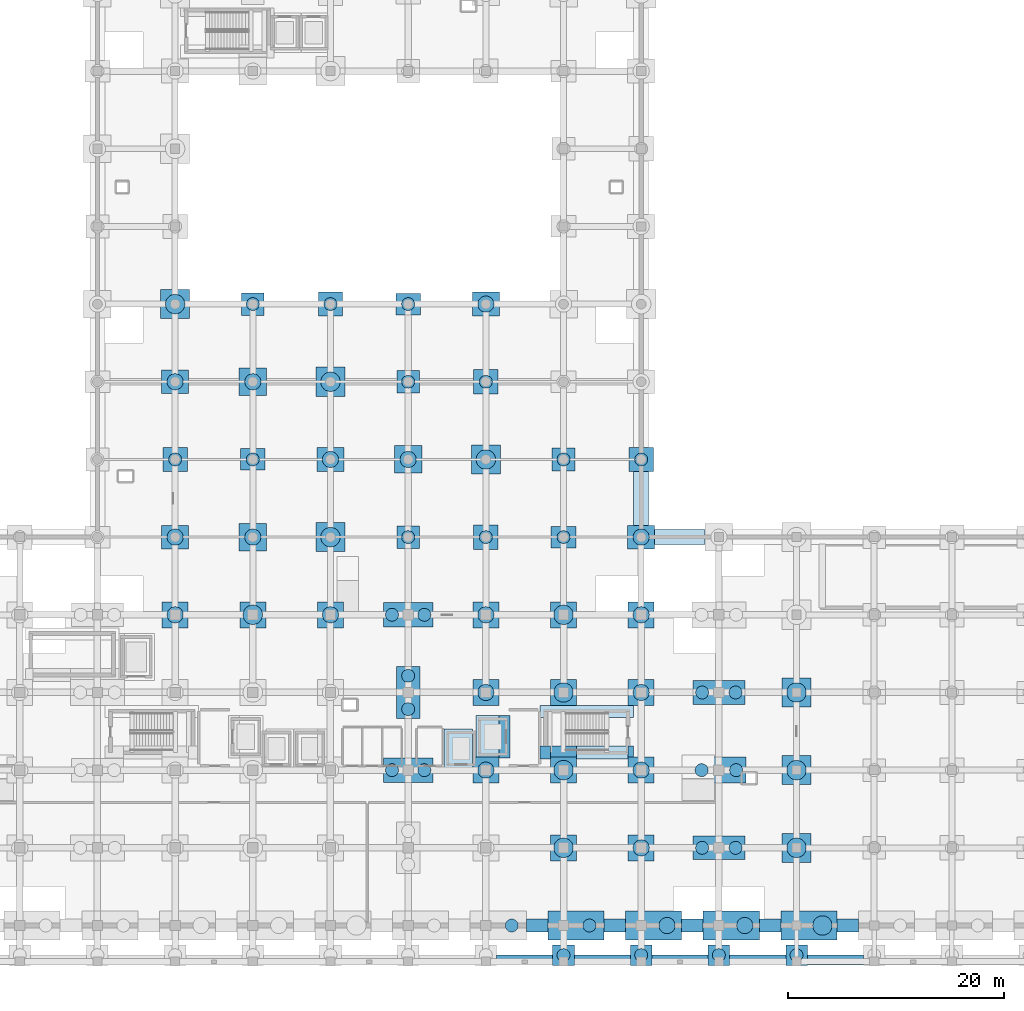
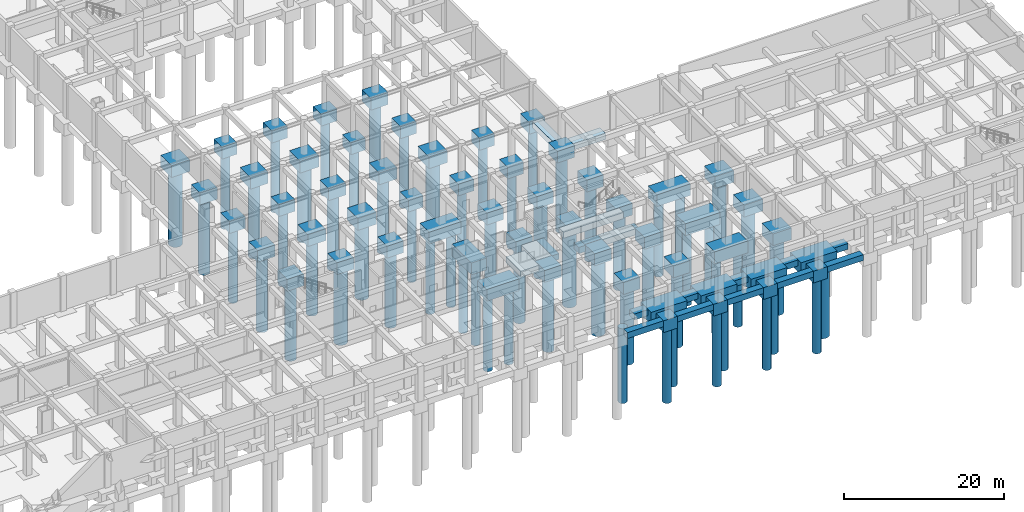
# One storey, part 3 of 26: 75 footings, 62 piles.
"""IFC4 building model written with IfcOpenShell, lengths in metres."""

from ifc_helpers import new_model, si_unit, direction, frame, origin, origin_2d, place, context, subcontext, project, spatial, polyline, rectangle, circle, outline, extrude, material, material_profile, profile_set, type_object, element, save


model = new_model("IFC4")

# Units and contexts
model_context = context("Model", 3, precision=1e-05, world=origin(), true_north=direction((0.0, 1.0)))
body_context = subcontext(model_context, "Body", "Model", "MODEL_VIEW")
ifc_project = project(units=[si_unit("LENGTHUNIT", "METRE"), si_unit("AREAUNIT", "SQUARE_METRE"), si_unit("VOLUMEUNIT", "CUBIC_METRE"), si_unit("PLANEANGLEUNIT", "RADIAN"), si_unit("MASSUNIT", "GRAM", prefix="KILO")], contexts=[model_context])

# Site, building, storey
site_placement = place(None, origin())
site = spatial("IfcSite", under=ifc_project, at=site_placement, CompositionType="ELEMENT")
building_placement = place(site_placement, origin())
building = spatial("IfcBuilding", under=site, at=building_placement, Name="Kazehaya Institute of Natural Sciences", CompositionType="ELEMENT")
storey_placement = place(building_placement, frame((0.0, 0.0, -5.39990234375)))
storey = spatial("IfcBuildingStorey", under=building, at=storey_placement, Name="B1", CompositionType="ELEMENT", Elevation=-5.39990234375)

# Footings
ifc_material = material(Name="Concrete Fc36", Category="concrete")
footing_type_1 = type_object("IfcFootingType", Name="FT-PAD01", PredefinedType="PAD_FOOTING", material=ifc_material)
footing_1_placement = place(storey_placement, frame((0.0, 0.0, -0.9501953125)))
element("IfcFooting", 1, at=footing_1_placement, inside=storey, type_object=footing_type_1, Name="Core ST-2 pad footing S seg 1", PredefinedType="PAD_FOOTING", context=body_context, shape_type="SweptSolid", body=[
    extrude(outline(polyline([(102.820068359375, 22.219970703125), (103.780029296875, 22.219970703125), (103.780029296875, 23.419921875), (102.820068359375, 23.419921875), (102.820068359375, 22.219970703125)])), origin(), (0.0, 0.0, 1.0), 0.9501953125),
])
footing_2_placement = place(storey_placement, frame((0.0, 0.0, -0.9501953125)))
element("IfcFooting", 2, at=footing_2_placement, inside=storey, type_object=footing_type_1, Name="Core ST-2 pad footing S seg 2", PredefinedType="PAD_FOOTING", context=body_context, shape_type="SweptSolid", body=[
    extrude(outline(polyline([(106.219970703125, 22.219970703125), (110.97998046875, 22.219970703125), (110.97998046875, 23.419921875), (106.219970703125, 23.419921875), (106.219970703125, 22.219970703125)])), origin(), (0.0, 0.0, 1.0), 0.9501953125),
])
footing_3_placement = place(storey_placement, frame((0.0, 0.0, -0.9501953125)))
element("IfcFooting", 3, at=footing_3_placement, inside=storey, type_object=footing_type_1, Name="Core ST-2 pad footing S seg 3", PredefinedType="PAD_FOOTING", context=body_context, shape_type="SweptSolid", body=[
    extrude(outline(polyline([(103.780029296875, 22.419921875), (106.219970703125, 22.419921875), (106.219970703125, 23.419921875), (103.780029296875, 23.419921875), (103.780029296875, 22.419921875)])), origin(), (0.0, 0.0, 1.0), 0.9501953125),
])
footing_4_placement = place(storey_placement, frame((0.0, 0.0, -0.9501953125)))
element("IfcFooting", 4, at=footing_4_placement, inside=storey, type_object=footing_type_1, Name="Core ST-2 pad footing S seg 4", PredefinedType="PAD_FOOTING", context=body_context, shape_type="SweptSolid", body=[
    extrude(outline(polyline([(110.97998046875, 22.419921875), (111.47998046875, 22.419921875), (111.47998046875, 23.419921875), (110.97998046875, 23.419921875), (110.97998046875, 22.419921875)])), origin(), (0.0, 0.0, 1.0), 0.9501953125),
])
footing_5_placement = place(storey_placement, frame((0.0, 0.0, -0.9501953125)))
element("IfcFooting", 5, at=footing_5_placement, inside=storey, type_object=footing_type_1, Name="Core ST-2 pad footing N", PredefinedType="PAD_FOOTING", context=body_context, shape_type="SweptSolid", body=[
    extrude(outline(polyline([(102.820068359375, 26.06005859375), (111.47998046875, 26.06005859375), (111.47998046875, 27.179931640625), (102.820068359375, 27.179931640625), (102.820068359375, 26.06005859375)])), origin(), (0.0, 0.0, 1.0), 0.9501953125),
])
footing_6_placement = place(storey_placement, frame((0.0, 0.0, -0.900146484375)))
element("IfcFooting", 6, at=footing_6_placement, inside=storey, type_object=footing_type_1, Name="Lift EL08 pad footing seg 1", PredefinedType="PAD_FOOTING", context=body_context, shape_type="SweptSolid", body=[
    extrude(outline(polyline([(99.02001953125, 22.31494140625), (100.034912109375, 22.31494140625), (100.034912109375, 26.284912109375), (99.02001953125, 26.284912109375), (99.02001953125, 22.31494140625)])), origin(), (0.0, 0.0, 1.0), 0.900146484375),
])
footing_7_placement = place(storey_placement, frame((0.0, 0.0, -0.900146484375)))
element("IfcFooting", 7, at=footing_7_placement, inside=storey, type_object=footing_type_1, Name="Lift EL08 pad footing seg 2", PredefinedType="PAD_FOOTING", context=body_context, shape_type="SweptSolid", body=[
    extrude(outline(polyline([(96.864990234375, 22.419921875), (99.02001953125, 22.419921875), (99.02001953125, 26.284912109375), (96.864990234375, 26.284912109375), (96.864990234375, 22.419921875)])), origin(), (0.0, 0.0, 1.0), 0.900146484375),
])
footing_8_placement = place(storey_placement, frame((0.0, 0.0, -0.900146484375)))
element("IfcFooting", 8, at=footing_8_placement, inside=storey, type_object=footing_type_1, Name="Lift EL03 pad footing", PredefinedType="PAD_FOOTING", context=body_context, shape_type="SweptSolid", body=[
    extrude(outline(polyline([(93.9150390625, 21.364990234375), (96.580078125, 21.364990234375), (96.580078125, 25.034912109375), (93.9150390625, 25.034912109375), (93.9150390625, 21.364990234375)])), origin(), (0.0, 0.0, 1.0), 0.900146484375),
])
footing_type_2 = type_object("IfcFootingType", Name="FT-PC01", PredefinedType="PILE_CAP", material=ifc_material)
for number, where, z_axis, x_axis, name in (
    (9, (90.60009765625, 42.800048828125, -1.80029296875), (0.0, 0.0, 1.0), (1.0, 0.0, 0.0), "Pile cap CAP-157"),
    (10, (105.0, 50.0, -1.80029296875), (0.0, 0.0, 1.0), (1.0, 0.0, 0.0), "Pile cap CAP-175"),
    (11, (90.60009765625, 57.199951171875, -1.80029296875), (0.0, 0.0, 1.0), (1.0, 0.0, 0.0), "Pile cap CAP-181"),
    (12, (76.199951171875, 64.39990234375, -1.80029296875), (0.0, 0.0, 1.0), (1.0, 0.0, 0.0), "Pile cap CAP-187"),
):
    element("IfcFooting", number, at=place(storey_placement, frame(where, z_axis=z_axis, x_axis=x_axis)), inside=storey, type_object=footing_type_2, Name=name, PredefinedType="PILE_CAP", context=body_context, shape_type="SweptSolid", body=[
        extrude(rectangle(XDim=2.10009765625, YDim=2.10009765625, at=origin_2d()), origin(), (0.0, 0.0, 1.0), 1.800048828125),
    ])
footing_type_3 = type_object("IfcFootingType", Name="FT-PC02", PredefinedType="PILE_CAP", material=ifc_material)
for number, where, z_axis, x_axis, name in (
    (13, (105.0, 14.0, -1.80029296875), (0.0, 0.0, 1.0), (1.0, 0.0, 0.0), "Pile cap CAP-063"),
    (14, (112.199951171875, 14.0, -1.80029296875), (0.0, 0.0, 1.0), (1.0, 0.0, 0.0), "Pile cap CAP-064"),
    (15, (97.800048828125, 21.199951171875, -1.80029296875), (0.0, 0.0, 1.0), (1.0, 0.0, 0.0), "Pile cap CAP-086"),
    (16, (105.0, 21.199951171875, -1.80029296875), (0.0, 0.0, 1.0), (1.0, 0.0, 0.0), "Pile cap CAP-087"),
    (17, (112.199951171875, 21.199951171875, -1.80029296875), (0.0, 0.0, 1.0), (1.0, 0.0, 0.0), "Pile cap CAP-088"),
    (18, (97.800048828125, 28.39990234375, -1.80029296875), (0.0, 0.0, 1.0), (1.0, 0.0, 0.0), "Pile cap CAP-110"),
    (19, (105.0, 28.39990234375, -1.80029296875), (0.0, 0.0, 1.0), (1.0, 0.0, 0.0), "Pile cap CAP-111"),
    (20, (112.199951171875, 28.39990234375, -1.80029296875), (0.0, 0.0, 1.0), (1.0, 0.0, 0.0), "Pile cap CAP-112"),
    (21, (69.0, 35.60009765625, -1.80029296875), (0.0, 0.0, 1.0), (1.0, 0.0, 0.0), "Pile cap CAP-130"),
    (22, (76.199951171875, 35.60009765625, -1.80029296875), (0.0, 0.0, 1.0), (1.0, 0.0, 0.0), "Pile cap CAP-131"),
    (23, (83.39990234375, 35.60009765625, -1.80029296875), (0.0, 0.0, 1.0), (1.0, 0.0, 0.0), "Pile cap CAP-132"),
    (24, (97.800048828125, 35.60009765625, -1.80029296875), (0.0, 0.0, 1.0), (1.0, 0.0, 0.0), "Pile cap CAP-134"),
    (25, (105.0, 35.60009765625, -1.80029296875), (0.0, 0.0, 1.0), (1.0, 0.0, 0.0), "Pile cap CAP-135"),
    (26, (112.199951171875, 35.60009765625, -1.80029296875), (0.0, 0.0, 1.0), (1.0, 0.0, 0.0), "Pile cap CAP-136"),
):
    element("IfcFooting", number, at=place(storey_placement, frame(where, z_axis=z_axis, x_axis=x_axis)), inside=storey, type_object=footing_type_3, Name=name, PredefinedType="PILE_CAP", context=body_context, shape_type="SweptSolid", body=[
        extrude(rectangle(XDim=2.39990234375, YDim=2.39990234375, at=origin_2d()), origin(), (0.0, 0.0, 1.0), 1.800048828125),
    ])
footing_type_4 = type_object("IfcFootingType", Name="FT-PC03", PredefinedType="PILE_CAP", material=ifc_material)
for number, where, z_axis, x_axis, name in (
    (27, (119.39990234375, 14.0, -1.80029296875), (0.0, 0.0, 1.0), (1.0, 0.0, 0.0), "Pile cap CAP-065"),
    (28, (119.39990234375, 28.39990234375, -1.80029296875), (0.0, 0.0, 1.0), (1.0, 0.0, 0.0), "Pile cap CAP-113"),
):
    element("IfcFooting", number, at=place(storey_placement, frame(where, z_axis=z_axis, x_axis=x_axis)), inside=storey, type_object=footing_type_4, Name=name, PredefinedType="PILE_CAP", context=body_context, shape_type="SweptSolid", body=[
        extrude(rectangle(XDim=4.800048828125, YDim=2.199951171875, at=origin_2d()), origin(), (0.0, 0.0, 1.0), 1.800048828125),
    ])
footing_type_5 = type_object("IfcFootingType", Name="FT-PC04", PredefinedType="PILE_CAP", material=ifc_material)
footing_9_placement = place(storey_placement, frame((90.60009765625, 28.39990234375, -1.80029296875), z_axis=(0.0, 0.0, 1.0), x_axis=(1.0, 0.0, 0.0)))
element("IfcFooting", 29, at=footing_9_placement, inside=storey, type_object=footing_type_5, Name="Pile cap CAP-109", PredefinedType="PILE_CAP", context=body_context, shape_type="SweptSolid", body=[
    extrude(rectangle(XDim=2.199951171875, YDim=4.800048828125, at=origin_2d()), origin(), (0.0, 0.0, 1.0), 1.800048828125),
])
footing_type_6 = type_object("IfcFootingType", Name="FT-PC05", PredefinedType="PILE_CAP", material=ifc_material)
for number, where, z_axis, x_axis, name in (
    (30, (105.0, 4.050048828125, -1.80029296875), (0.0, 0.0, 1.0), (1.0, 0.0, 0.0), "Pile cap CAP-015"),
    (31, (112.199951171875, 4.050048828125, -1.80029296875), (0.0, 0.0, 1.0), (1.0, 0.0, 0.0), "Pile cap CAP-016"),
    (32, (119.39990234375, 4.050048828125, -1.80029296875), (0.0, 0.0, 1.0), (1.0, 0.0, 0.0), "Pile cap CAP-017"),
    (33, (126.60009765625, 4.050048828125, -1.80029296875), (0.0, 0.0, 1.0), (1.0, 0.0, 0.0), "Pile cap CAP-018"),
):
    element("IfcFooting", number, at=place(storey_placement, frame(where, z_axis=z_axis, x_axis=x_axis)), inside=storey, type_object=footing_type_6, Name=name, PredefinedType="PILE_CAP", context=body_context, shape_type="SweptSolid", body=[
        extrude(rectangle(XDim=2.0, YDim=1.89990234375, at=origin_2d()), origin(), (0.0, 0.0, 1.0), 1.800048828125),
    ])
footing_type_7 = type_object("IfcFootingType", Name="FT-PC06", PredefinedType="PILE_CAP", material=ifc_material)
for number, where, z_axis, x_axis, name in (
    (34, (97.800048828125, 42.800048828125, -1.80029296875), (0.0, 0.0, 1.0), (1.0, 0.0, 0.0), "Pile cap CAP-158"),
    (35, (69.0, 50.0, -1.80029296875), (0.0, 0.0, 1.0), (1.0, 0.0, 0.0), "Pile cap CAP-170"),
    (36, (112.199951171875, 50.0, -1.80029296875), (0.0, 0.0, 1.0), (1.0, 0.0, 0.0), "Pile cap CAP-176"),
    (37, (97.800048828125, 57.199951171875, -1.80029296875), (0.0, 0.0, 1.0), (1.0, 0.0, 0.0), "Pile cap CAP-182"),
    (38, (83.39990234375, 64.39990234375, -1.80029296875), (0.0, 0.0, 1.0), (1.0, 0.0, 0.0), "Pile cap CAP-188"),
):
    element("IfcFooting", number, at=place(storey_placement, frame(where, z_axis=z_axis, x_axis=x_axis)), inside=storey, type_object=footing_type_7, Name=name, PredefinedType="PILE_CAP", context=body_context, shape_type="SweptSolid", body=[
        extrude(rectangle(XDim=2.25, YDim=2.25, at=origin_2d()), origin(), (0.0, 0.0, 1.0), 1.800048828125),
    ])
footing_type_8 = type_object("IfcFootingType", Name="FT-PC07", PredefinedType="PILE_CAP", material=ifc_material)
for number, where, z_axis, x_axis, name in (
    (39, (76.199951171875, 42.800048828125, -1.80029296875), (0.0, 0.0, 1.0), (1.0, 0.0, 0.0), "Pile cap CAP-155"),
    (40, (90.60009765625, 50.0, -1.80029296875), (0.0, 0.0, 1.0), (1.0, 0.0, 0.0), "Pile cap CAP-173"),
    (41, (76.199951171875, 57.199951171875, -1.80029296875), (0.0, 0.0, 1.0), (1.0, 0.0, 0.0), "Pile cap CAP-179"),
):
    element("IfcFooting", number, at=place(storey_placement, frame(where, z_axis=z_axis, x_axis=x_axis)), inside=storey, type_object=footing_type_8, Name=name, PredefinedType="PILE_CAP", context=body_context, shape_type="SweptSolid", body=[
        extrude(rectangle(XDim=2.550048828125, YDim=2.550048828125, at=origin_2d()), origin(), (0.0, 0.0, 1.0), 1.800048828125),
    ])
footing_type_9 = type_object("IfcFootingType", Name="FT-PC08", PredefinedType="PILE_CAP", material=ifc_material)
for number, where, z_axis, x_axis, name in (
    (42, (126.60009765625, 14.0, -1.80029296875), (0.0, 0.0, 1.0), (1.0, 0.0, 0.0), "Pile cap CAP-066"),
    (43, (126.60009765625, 21.199951171875, -1.80029296875), (0.0, 0.0, 1.0), (1.0, 0.0, 0.0), "Pile cap CAP-090"),
    (44, (126.60009765625, 28.39990234375, -1.80029296875), (0.0, 0.0, 1.0), (1.0, 0.0, 0.0), "Pile cap CAP-114"),
    (45, (83.39990234375, 42.800048828125, -1.80029296875), (0.0, 0.0, 1.0), (1.0, 0.0, 0.0), "Pile cap CAP-156"),
    (46, (97.800048828125, 50.0, -1.80029296875), (0.0, 0.0, 1.0), (1.0, 0.0, 0.0), "Pile cap CAP-174"),
    (47, (83.39990234375, 57.199951171875, -1.80029296875), (0.0, 0.0, 1.0), (1.0, 0.0, 0.0), "Pile cap CAP-180"),
    (48, (69.0, 64.39990234375, -1.80029296875), (0.0, 0.0, 1.0), (1.0, 0.0, 0.0), "Pile cap CAP-186"),
):
    element("IfcFooting", number, at=place(storey_placement, frame(where, z_axis=z_axis, x_axis=x_axis)), inside=storey, type_object=footing_type_9, Name=name, PredefinedType="PILE_CAP", context=body_context, shape_type="SweptSolid", body=[
        extrude(rectangle(XDim=2.699951171875, YDim=2.699951171875, at=origin_2d()), origin(), (0.0, 0.0, 1.0), 1.800048828125),
    ])
footing_type_10 = type_object("IfcFootingType", Name="FT-PC09", PredefinedType="PILE_CAP", material=ifc_material)
for number, where, z_axis, x_axis, name in (
    (49, (90.60009765625, 21.199951171875, -1.80029296875), (0.0, 0.0, 1.0), (1.0, 0.0, 0.0), "Pile cap CAP-085"),
    (50, (90.60009765625, 35.60009765625, -1.80029296875), (0.0, 0.0, 1.0), (1.0, 0.0, 0.0), "Pile cap CAP-133"),
):
    element("IfcFooting", number, at=place(storey_placement, frame(where, z_axis=z_axis, x_axis=x_axis)), inside=storey, type_object=footing_type_10, Name=name, PredefinedType="PILE_CAP", context=body_context, shape_type="SweptSolid", body=[
        extrude(rectangle(XDim=4.60009765625, YDim=2.300048828125, at=origin_2d()), origin(), (0.0, 0.0, 1.0), 1.800048828125),
    ])
footing_type_11 = type_object("IfcFootingType", Name="FT-PC10", PredefinedType="PILE_CAP", material=ifc_material)
for number, where, z_axis, x_axis, name in (
    (51, (106.14990234375, 6.800048828125, -1.80029296875), (0.0, 0.0, 1.0), (1.0, 0.0, 0.0), "Pile cap CAP-039"),
    (52, (113.35009765625, 6.800048828125, -1.80029296875), (0.0, 0.0, 1.0), (1.0, 0.0, 0.0), "Pile cap CAP-040"),
    (53, (120.550048828125, 6.800048828125, -1.80029296875), (0.0, 0.0, 1.0), (1.0, 0.0, 0.0), "Pile cap CAP-041"),
    (54, (127.75, 6.800048828125, -1.80029296875), (0.0, 0.0, 1.0), (1.0, 0.0, 0.0), "Pile cap CAP-042"),
):
    element("IfcFooting", number, at=place(storey_placement, frame(where, z_axis=z_axis, x_axis=x_axis)), inside=storey, type_object=footing_type_11, Name=name, PredefinedType="PILE_CAP", context=body_context, shape_type="SweptSolid", body=[
        extrude(rectangle(XDim=5.199951171875, YDim=2.699951171875, at=origin_2d()), origin(), (0.0, 0.0, 1.0), 1.800048828125),
    ])
footing_10_placement = place(storey_placement, frame((119.39990234375, 21.199951171875, -1.80029296875), z_axis=(0.0, 0.0, 1.0), x_axis=(1.0, 0.0, 0.0)))
element("IfcFooting", 55, at=footing_10_placement, inside=storey, type_object=footing_type_11, Name="Pile cap CAP-089", PredefinedType="PILE_CAP", context=body_context, shape_type="SweptSolid", body=[
    extrude(rectangle(XDim=5.0, YDim=2.39990234375, at=origin_2d()), origin(), (0.0, 0.0, 1.0), 1.800048828125),
])
footing_type_12 = type_object("IfcFootingType", Name="FT-PC11", PredefinedType="PILE_CAP", material=ifc_material)
for number, where, z_axis, x_axis, name in (
    (56, (105.0, 42.800048828125, -1.80029296875), (0.0, 0.0, 1.0), (1.0, 0.0, 0.0), "Pile cap CAP-159"),
    (57, (76.199951171875, 50.0, -1.80029296875), (0.0, 0.0, 1.0), (1.0, 0.0, 0.0), "Pile cap CAP-171"),
    (58, (90.60009765625, 64.39990234375, -1.80029296875), (0.0, 0.0, 1.0), (1.0, 0.0, 0.0), "Pile cap CAP-189"),
):
    element("IfcFooting", number, at=place(storey_placement, frame(where, z_axis=z_axis, x_axis=x_axis)), inside=storey, type_object=footing_type_12, Name=name, PredefinedType="PILE_CAP", context=body_context, shape_type="SweptSolid", body=[
        extrude(rectangle(XDim=2.300048828125, YDim=2.0, at=origin_2d()), origin(), (0.0, 0.0, 1.0), 1.800048828125),
    ])
footing_type_13 = type_object("IfcFootingType", Name="FT-PC12", PredefinedType="PILE_CAP", material=ifc_material)
for number, where, z_axis, x_axis, name in (
    (59, (69.0, 42.800048828125, -1.80029296875), (0.0, 0.0, 1.0), (1.0, 0.0, 0.0), "Pile cap CAP-154"),
    (60, (112.199951171875, 42.800048828125, -1.80029296875), (0.0, 0.0, 1.0), (1.0, 0.0, 0.0), "Pile cap CAP-160"),
    (61, (83.39990234375, 50.0, -1.80029296875), (0.0, 0.0, 1.0), (1.0, 0.0, 0.0), "Pile cap CAP-172"),
    (62, (69.0, 57.199951171875, -1.80029296875), (0.0, 0.0, 1.0), (1.0, 0.0, 0.0), "Pile cap CAP-178"),
    (63, (97.800048828125, 64.39990234375, -1.80029296875), (0.0, 0.0, 1.0), (1.0, 0.0, 0.0), "Pile cap CAP-190"),
):
    element("IfcFooting", number, at=place(storey_placement, frame(where, z_axis=z_axis, x_axis=x_axis)), inside=storey, type_object=footing_type_13, Name=name, PredefinedType="PILE_CAP", context=body_context, shape_type="SweptSolid", body=[
        extrude(rectangle(XDim=2.5, YDim=2.199951171875, at=origin_2d()), origin(), (0.0, 0.0, 1.0), 1.800048828125),
    ])
footing_type_14 = type_object("IfcFootingType", Name="FT-SF01", PredefinedType="STRIP_FOOTING", material=ifc_material)
footing_11_placement = place(storey_placement, frame((0.0, 0.0, -0.900146484375)))
element("IfcFooting", 64, at=footing_11_placement, inside=storey, type_object=footing_type_14, Name="Perimeter strip footing SF-014", PredefinedType="STRIP_FOOTING", context=body_context, shape_type="SweptSolid", body=[
    extrude(outline(polyline([(98.800048828125, 3.1201171875), (104.0, 3.1201171875), (104.0, 4.050048828125), (98.800048828125, 4.050048828125), (98.800048828125, 3.1201171875)])), origin(), (0.0, 0.0, 1.0), 0.900146484375),
])
footing_12_placement = place(storey_placement, frame((0.0, 0.0, -0.900146484375)))
element("IfcFooting", 65, at=footing_12_placement, inside=storey, type_object=footing_type_14, Name="Perimeter strip footing SF-015", PredefinedType="STRIP_FOOTING", context=body_context, shape_type="SweptSolid", body=[
    extrude(outline(polyline([(106.0, 3.1201171875), (111.199951171875, 3.1201171875), (111.199951171875, 4.050048828125), (106.0, 4.050048828125), (106.0, 3.1201171875)])), origin(), (0.0, 0.0, 1.0), 0.900146484375),
])
footing_13_placement = place(storey_placement, frame((0.0, 0.0, -0.900146484375)))
element("IfcFooting", 66, at=footing_13_placement, inside=storey, type_object=footing_type_14, Name="Perimeter strip footing SF-016", PredefinedType="STRIP_FOOTING", context=body_context, shape_type="SweptSolid", body=[
    extrude(outline(polyline([(113.199951171875, 3.1201171875), (118.39990234375, 3.1201171875), (118.39990234375, 4.050048828125), (113.199951171875, 4.050048828125), (113.199951171875, 3.1201171875)])), origin(), (0.0, 0.0, 1.0), 0.900146484375),
])
footing_14_placement = place(storey_placement, frame((0.0, 0.0, -0.900146484375)))
element("IfcFooting", 67, at=footing_14_placement, inside=storey, type_object=footing_type_14, Name="Perimeter strip footing SF-017", PredefinedType="STRIP_FOOTING", context=body_context, shape_type="SweptSolid", body=[
    extrude(outline(polyline([(120.39990234375, 3.1201171875), (125.60009765625, 3.1201171875), (125.60009765625, 4.050048828125), (120.39990234375, 4.050048828125), (120.39990234375, 3.1201171875)])), origin(), (0.0, 0.0, 1.0), 0.900146484375),
])
footing_15_placement = place(storey_placement, frame((0.0, 0.0, -0.900146484375)))
element("IfcFooting", 68, at=footing_15_placement, inside=storey, type_object=footing_type_14, Name="Perimeter strip footing SF-018", PredefinedType="STRIP_FOOTING", context=body_context, shape_type="SweptSolid", body=[
    extrude(outline(polyline([(127.60009765625, 3.1201171875), (132.800048828125, 3.1201171875), (132.800048828125, 4.050048828125), (127.60009765625, 4.050048828125), (127.60009765625, 3.1201171875)])), origin(), (0.0, 0.0, 1.0), 0.900146484375),
])
footing_16_placement = place(storey_placement, frame((0.0, 0.0, -0.900146484375)))
element("IfcFooting", 69, at=footing_16_placement, inside=storey, type_object=footing_type_14, Name="Perimeter strip footing SF-037", PredefinedType="STRIP_FOOTING", context=body_context, shape_type="SweptSolid", body=[
    extrude(outline(polyline([(101.550048828125, 6.199951171875), (103.550048828125, 6.199951171875), (103.550048828125, 7.39990234375), (101.550048828125, 7.39990234375), (101.550048828125, 6.199951171875)])), origin(), (0.0, 0.0, 1.0), 0.900146484375),
])
footing_17_placement = place(storey_placement, frame((0.0, 0.0, -0.900146484375)))
element("IfcFooting", 70, at=footing_17_placement, inside=storey, type_object=footing_type_14, Name="Perimeter strip footing SF-038", PredefinedType="STRIP_FOOTING", context=body_context, shape_type="SweptSolid", body=[
    extrude(outline(polyline([(108.75, 6.199951171875), (110.75, 6.199951171875), (110.75, 7.39990234375), (108.75, 7.39990234375), (108.75, 6.199951171875)])), origin(), (0.0, 0.0, 1.0), 0.900146484375),
])
footing_18_placement = place(storey_placement, frame((0.0, 0.0, -0.900146484375)))
element("IfcFooting", 71, at=footing_18_placement, inside=storey, type_object=footing_type_14, Name="Perimeter strip footing SF-039", PredefinedType="STRIP_FOOTING", context=body_context, shape_type="SweptSolid", body=[
    extrude(outline(polyline([(115.949951171875, 6.199951171875), (117.949951171875, 6.199951171875), (117.949951171875, 7.39990234375), (115.949951171875, 7.39990234375), (115.949951171875, 6.199951171875)])), origin(), (0.0, 0.0, 1.0), 0.900146484375),
])
footing_19_placement = place(storey_placement, frame((0.0, 0.0, -0.900146484375)))
element("IfcFooting", 72, at=footing_19_placement, inside=storey, type_object=footing_type_14, Name="Perimeter strip footing SF-040", PredefinedType="STRIP_FOOTING", context=body_context, shape_type="SweptSolid", body=[
    extrude(outline(polyline([(123.14990234375, 6.199951171875), (125.14990234375, 6.199951171875), (125.14990234375, 7.39990234375), (123.14990234375, 7.39990234375), (123.14990234375, 6.199951171875)])), origin(), (0.0, 0.0, 1.0), 0.900146484375),
])
footing_20_placement = place(storey_placement, frame((0.0, 0.0, -0.900146484375)))
element("IfcFooting", 73, at=footing_20_placement, inside=storey, type_object=footing_type_14, Name="Perimeter strip footing SF-041", PredefinedType="STRIP_FOOTING", context=body_context, shape_type="SweptSolid", body=[
    extrude(outline(polyline([(130.35009765625, 6.199951171875), (132.35009765625, 6.199951171875), (132.35009765625, 7.39990234375), (130.35009765625, 7.39990234375), (130.35009765625, 6.199951171875)])), origin(), (0.0, 0.0, 1.0), 0.900146484375),
])
footing_type_15 = type_object("IfcFootingType", Name="FT-SF02", PredefinedType="STRIP_FOOTING", material=ifc_material)
footing_21_placement = place(storey_placement, frame((0.0, 0.0, -0.9501953125)))
element("IfcFooting", 74, at=footing_21_placement, inside=storey, type_object=footing_type_15, Name="Perimeter strip footing SF-077", PredefinedType="STRIP_FOOTING", context=body_context, shape_type="SweptSolid", body=[
    extrude(outline(polyline([(111.5, 43.89990234375), (112.89990234375, 43.89990234375), (112.89990234375, 48.875), (111.5, 48.875), (111.5, 43.89990234375)])), origin(), (0.0, 0.0, 1.0), 0.9501953125),
])
footing_22_placement = place(storey_placement, frame((0.0, 0.0, -0.9501953125)))
element("IfcFooting", 75, at=footing_22_placement, inside=storey, type_object=footing_type_15, Name="Perimeter strip footing SF-087", PredefinedType="STRIP_FOOTING", context=body_context, shape_type="SweptSolid", body=[
    extrude(outline(polyline([(113.449951171875, 42.10009765625), (118.125, 42.10009765625), (118.125, 43.5), (113.449951171875, 43.5), (113.449951171875, 42.10009765625)])), origin(), (0.0, 0.0, 1.0), 0.9501953125),
])

# Piles
ifc_material_profile_1 = material_profile(ifc_material, circle(Radius=0.60009765625, at=origin_2d()), Name="PILE-1200")
ifc_profile_set_1 = profile_set([ifc_material_profile_1], Name="Concrete Fc36")
pile_type_1 = type_object("IfcPileType", Name="PILE-1200", PredefinedType="BORED", material=ifc_profile_set_1)
for number, where, z_axis, x_axis, name in (
    (76, (105.0, 4.050048828125, -1.7001953125), (0.0, 0.0, -1.0), (1.0, 0.0, 0.0), "Bored pile CAP-015-P1"),
    (77, (112.199951171875, 4.050048828125, -1.7001953125), (0.0, 0.0, -1.0), (1.0, 0.0, 0.0), "Bored pile CAP-016-P1"),
    (78, (119.39990234375, 4.050048828125, -1.7001953125), (0.0, 0.0, -1.0), (1.0, 0.0, 0.0), "Bored pile CAP-017-P1"),
    (79, (126.60009765625, 4.050048828125, -1.7001953125), (0.0, 0.0, -1.0), (1.0, 0.0, 0.0), "Bored pile CAP-018-P1"),
    (80, (100.199951171875, 6.800048828125, -1.7001953125), (0.0, 0.0, -1.0), (1.0, 0.0, 0.0), "Bored pile CAP-038-P1"),
    (81, (107.39990234375, 6.800048828125, -1.7001953125), (0.0, 0.0, -1.0), (1.0, 0.0, 0.0), "Bored pile CAP-039-P1"),
    (82, (117.85009765625, 14.0, -1.7001953125), (0.0, 0.0, -1.0), (1.0, 0.0, 0.0), "Bored pile CAP-065-P1"),
    (83, (120.949951171875, 14.0, -1.7001953125), (0.0, 0.0, -1.0), (1.0, 0.0, 0.0), "Bored pile CAP-065-P2"),
    (84, (89.10009765625, 21.199951171875, -1.7001953125), (0.0, 0.0, -1.0), (1.0, 0.0, 0.0), "Bored pile CAP-085-P1"),
    (85, (92.10009765625, 21.199951171875, -1.7001953125), (0.0, 0.0, -1.0), (1.0, 0.0, 0.0), "Bored pile CAP-085-P2"),
    (86, (117.800048828125, 21.199951171875, -1.7001953125), (0.0, 0.0, -1.0), (1.0, 0.0, 0.0), "Bored pile CAP-089-P1"),
    (87, (121.0, 21.199951171875, -1.7001953125), (0.0, 0.0, -1.0), (1.0, 0.0, 0.0), "Bored pile CAP-089-P2"),
    (88, (90.60009765625, 26.85009765625, -1.7001953125), (0.0, 0.0, -1.0), (1.0, 0.0, 0.0), "Bored pile CAP-109-P1"),
    (89, (90.60009765625, 29.949951171875, -1.7001953125), (0.0, 0.0, -1.0), (1.0, 0.0, 0.0), "Bored pile CAP-109-P2"),
    (90, (117.85009765625, 28.39990234375, -1.7001953125), (0.0, 0.0, -1.0), (1.0, 0.0, 0.0), "Bored pile CAP-113-P1"),
    (91, (120.949951171875, 28.39990234375, -1.7001953125), (0.0, 0.0, -1.0), (1.0, 0.0, 0.0), "Bored pile CAP-113-P2"),
    (92, (89.10009765625, 35.60009765625, -1.7001953125), (0.0, 0.0, -1.0), (1.0, 0.0, 0.0), "Bored pile CAP-133-P1"),
    (93, (92.10009765625, 35.60009765625, -1.7001953125), (0.0, 0.0, -1.0), (1.0, 0.0, 0.0), "Bored pile CAP-133-P2"),
    (94, (90.60009765625, 42.800048828125, -1.7001953125), (0.0, 0.0, -1.0), (1.0, 0.0, 0.0), "Bored pile CAP-157-P1"),
    (95, (97.800048828125, 42.800048828125, -1.7001953125), (0.0, 0.0, -1.0), (1.0, 0.0, 0.0), "Bored pile CAP-158-P1"),
    (96, (105.0, 42.800048828125, -1.7001953125), (0.0, 0.0, -1.0), (1.0, 0.0, 0.0), "Bored pile CAP-159-P1"),
    (97, (69.0, 50.0, -1.7001953125), (0.0, 0.0, -1.0), (1.0, 0.0, 0.0), "Bored pile CAP-170-P1"),
    (98, (76.199951171875, 50.0, -1.7001953125), (0.0, 0.0, -1.0), (1.0, 0.0, 0.0), "Bored pile CAP-171-P1"),
    (99, (105.0, 50.0, -1.7001953125), (0.0, 0.0, -1.0), (1.0, 0.0, 0.0), "Bored pile CAP-175-P1"),
    (100, (112.199951171875, 50.0, -1.7001953125), (0.0, 0.0, -1.0), (1.0, 0.0, 0.0), "Bored pile CAP-176-P1"),
    (101, (90.60009765625, 57.199951171875, -1.7001953125), (0.0, 0.0, -1.0), (1.0, 0.0, 0.0), "Bored pile CAP-181-P1"),
    (102, (97.800048828125, 57.199951171875, -1.7001953125), (0.0, 0.0, -1.0), (1.0, 0.0, 0.0), "Bored pile CAP-182-P1"),
    (103, (76.199951171875, 64.39990234375, -1.7001953125), (0.0, 0.0, -1.0), (1.0, 0.0, 0.0), "Bored pile CAP-187-P1"),
    (104, (83.39990234375, 64.39990234375, -1.7001953125), (0.0, 0.0, -1.0), (1.0, 0.0, 0.0), "Bored pile CAP-188-P1"),
    (105, (90.60009765625, 64.39990234375, -1.7001953125), (0.0, 0.0, -1.0), (1.0, 0.0, 0.0), "Bored pile CAP-189-P1"),
):
    element("IfcPile", number, at=place(storey_placement, frame(where, z_axis=z_axis, x_axis=x_axis)), inside=storey, type_object=pile_type_1, Name=name, PredefinedType="BORED", context=body_context, shape_type="SweptSolid", body=[
        extrude(circle(Radius=0.60009765625, at=origin_2d()), origin(), (0.0, 0.0, 1.0), 11.39990234375),
    ])
ifc_material_profile_2 = material_profile(ifc_material, circle(Radius=0.75, at=origin_2d()), Name="PILE-1500")
ifc_profile_set_2 = profile_set([ifc_material_profile_2], Name="Concrete Fc36")
pile_type_2 = type_object("IfcPileType", Name="PILE-1500", PredefinedType="BORED", material=ifc_profile_set_2)
for number, where, z_axis, x_axis, name in (
    (106, (114.60009765625, 6.800048828125, -1.7001953125), (0.0, 0.0, -1.0), (1.0, 0.0, 0.0), "Bored pile CAP-040-P1"),
    (107, (121.800048828125, 6.800048828125, -1.7001953125), (0.0, 0.0, -1.0), (1.0, 0.0, 0.0), "Bored pile CAP-041-P1"),
    (108, (112.199951171875, 14.0, -1.7001953125), (0.0, 0.0, -1.0), (1.0, 0.0, 0.0), "Bored pile CAP-064-P1"),
    (109, (97.800048828125, 21.199951171875, -1.7001953125), (0.0, 0.0, -1.0), (1.0, 0.0, 0.0), "Bored pile CAP-086-P1"),
    (110, (112.199951171875, 21.199951171875, -1.7001953125), (0.0, 0.0, -1.0), (1.0, 0.0, 0.0), "Bored pile CAP-088-P1"),
    (111, (97.800048828125, 28.39990234375, -1.7001953125), (0.0, 0.0, -1.0), (1.0, 0.0, 0.0), "Bored pile CAP-110-P1"),
    (112, (112.199951171875, 28.39990234375, -1.7001953125), (0.0, 0.0, -1.0), (1.0, 0.0, 0.0), "Bored pile CAP-112-P1"),
    (113, (69.0, 35.60009765625, -1.7001953125), (0.0, 0.0, -1.0), (1.0, 0.0, 0.0), "Bored pile CAP-130-P1"),
    (114, (83.39990234375, 35.60009765625, -1.7001953125), (0.0, 0.0, -1.0), (1.0, 0.0, 0.0), "Bored pile CAP-132-P1"),
    (115, (97.800048828125, 35.60009765625, -1.7001953125), (0.0, 0.0, -1.0), (1.0, 0.0, 0.0), "Bored pile CAP-134-P1"),
    (116, (112.199951171875, 35.60009765625, -1.7001953125), (0.0, 0.0, -1.0), (1.0, 0.0, 0.0), "Bored pile CAP-136-P1"),
    (117, (69.0, 42.800048828125, -1.7001953125), (0.0, 0.0, -1.0), (1.0, 0.0, 0.0), "Bored pile CAP-154-P1"),
    (118, (76.199951171875, 42.800048828125, -1.7001953125), (0.0, 0.0, -1.0), (1.0, 0.0, 0.0), "Bored pile CAP-155-P1"),
    (119, (112.199951171875, 42.800048828125, -1.7001953125), (0.0, 0.0, -1.0), (1.0, 0.0, 0.0), "Bored pile CAP-160-P1"),
    (120, (83.39990234375, 50.0, -1.7001953125), (0.0, 0.0, -1.0), (1.0, 0.0, 0.0), "Bored pile CAP-172-P1"),
    (121, (90.60009765625, 50.0, -1.7001953125), (0.0, 0.0, -1.0), (1.0, 0.0, 0.0), "Bored pile CAP-173-P1"),
    (122, (69.0, 57.199951171875, -1.7001953125), (0.0, 0.0, -1.0), (1.0, 0.0, 0.0), "Bored pile CAP-178-P1"),
    (123, (76.199951171875, 57.199951171875, -1.7001953125), (0.0, 0.0, -1.0), (1.0, 0.0, 0.0), "Bored pile CAP-179-P1"),
    (124, (97.800048828125, 64.39990234375, -1.7001953125), (0.0, 0.0, -1.0), (1.0, 0.0, 0.0), "Bored pile CAP-190-P1"),
):
    element("IfcPile", number, at=place(storey_placement, frame(where, z_axis=z_axis, x_axis=x_axis)), inside=storey, type_object=pile_type_2, Name=name, PredefinedType="BORED", context=body_context, shape_type="SweptSolid", body=[
        extrude(circle(Radius=0.75, at=origin_2d()), origin(), (0.0, 0.0, 1.0), 11.39990234375),
    ])
ifc_material_profile_3 = material_profile(ifc_material, circle(Radius=0.89990234375, at=origin_2d()), Name="PILE-1800")
ifc_profile_set_3 = profile_set([ifc_material_profile_3], Name="Concrete Fc36")
pile_type_3 = type_object("IfcPileType", Name="PILE-1800", PredefinedType="BORED", material=ifc_profile_set_3)
for number, where, z_axis, x_axis, name in (
    (125, (129.0, 6.800048828125, -1.7001953125), (0.0, 0.0, -1.0), (1.0, 0.0, 0.0), "Bored pile CAP-042-P1"),
    (126, (105.0, 14.0, -1.7001953125), (0.0, 0.0, -1.0), (1.0, 0.0, 0.0), "Bored pile CAP-063-P1"),
    (127, (126.60009765625, 14.0, -1.7001953125), (0.0, 0.0, -1.0), (1.0, 0.0, 0.0), "Bored pile CAP-066-P1"),
    (128, (105.0, 21.199951171875, -1.7001953125), (0.0, 0.0, -1.0), (1.0, 0.0, 0.0), "Bored pile CAP-087-P1"),
    (129, (126.60009765625, 21.199951171875, -1.7001953125), (0.0, 0.0, -1.0), (1.0, 0.0, 0.0), "Bored pile CAP-090-P1"),
    (130, (105.0, 28.39990234375, -1.7001953125), (0.0, 0.0, -1.0), (1.0, 0.0, 0.0), "Bored pile CAP-111-P1"),
    (131, (126.60009765625, 28.39990234375, -1.7001953125), (0.0, 0.0, -1.0), (1.0, 0.0, 0.0), "Bored pile CAP-114-P1"),
    (132, (76.199951171875, 35.60009765625, -1.7001953125), (0.0, 0.0, -1.0), (1.0, 0.0, 0.0), "Bored pile CAP-131-P1"),
    (133, (105.0, 35.60009765625, -1.7001953125), (0.0, 0.0, -1.0), (1.0, 0.0, 0.0), "Bored pile CAP-135-P1"),
    (134, (83.39990234375, 42.800048828125, -1.7001953125), (0.0, 0.0, -1.0), (1.0, 0.0, 0.0), "Bored pile CAP-156-P1"),
    (135, (97.800048828125, 50.0, -1.7001953125), (0.0, 0.0, -1.0), (1.0, 0.0, 0.0), "Bored pile CAP-174-P1"),
    (136, (83.39990234375, 57.199951171875, -1.7001953125), (0.0, 0.0, -1.0), (1.0, 0.0, 0.0), "Bored pile CAP-180-P1"),
    (137, (69.0, 64.39990234375, -1.7001953125), (0.0, 0.0, -1.0), (1.0, 0.0, 0.0), "Bored pile CAP-186-P1"),
):
    element("IfcPile", number, at=place(storey_placement, frame(where, z_axis=z_axis, x_axis=x_axis)), inside=storey, type_object=pile_type_3, Name=name, PredefinedType="BORED", context=body_context, shape_type="SweptSolid", body=[
        extrude(circle(Radius=0.89990234375, at=origin_2d()), origin(), (0.0, 0.0, 1.0), 11.39990234375),
    ])

save(model, "model.ifc")
